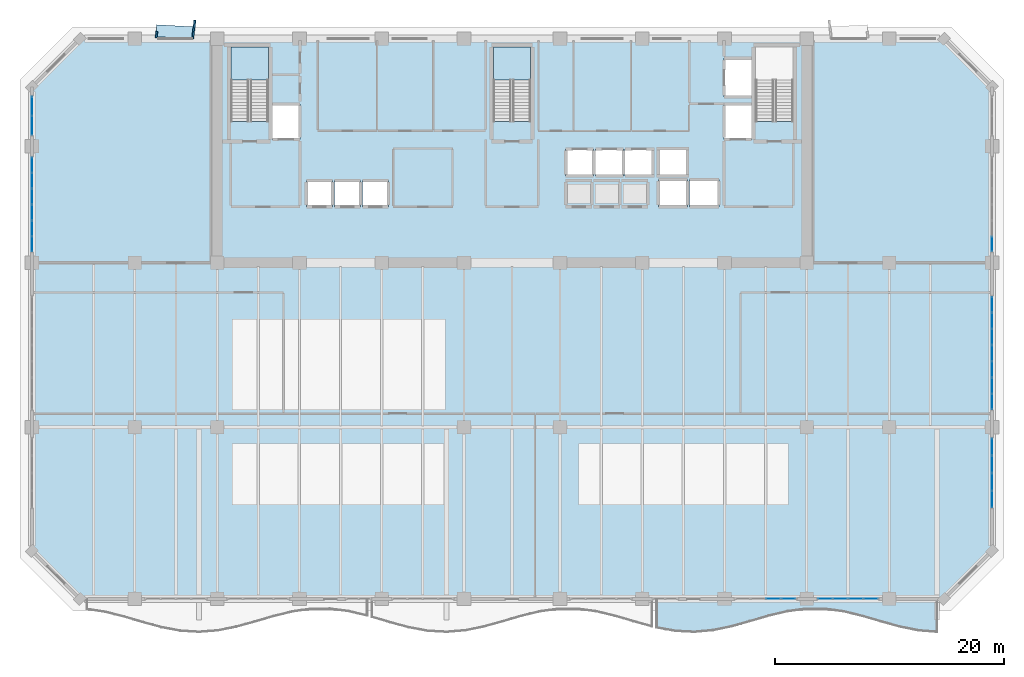
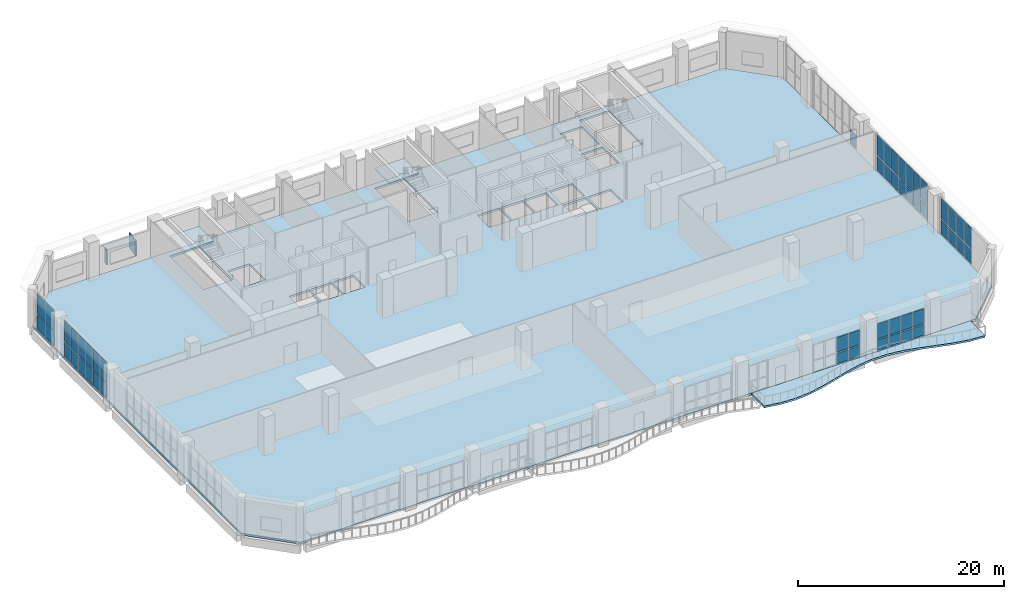
# One storey, part 26 of 37: 54 plates, 4 slabs, 9 elements without a shape of their own.
"""IFC4 building model written with IfcOpenShell, lengths in metres."""

from ifc_helpers import new_model, si_unit, direction, frame, origin, origin_2d, place, context, subcontext, project, spatial, polyline, rectangle, outline, extrude, material, layer, layer_set, type_object, element, aggregate, save


model = new_model("IFC4")

# Units and contexts
model_context = context("Model", 3, precision=1e-05, world=origin(), true_north=direction((0.0, 1.0)))
body_context = subcontext(model_context, "Body", "Model", "MODEL_VIEW")
ifc_project = project(units=[si_unit("LENGTHUNIT", "METRE"), si_unit("AREAUNIT", "SQUARE_METRE"), si_unit("VOLUMEUNIT", "CUBIC_METRE"), si_unit("PLANEANGLEUNIT", "RADIAN"), si_unit("MASSUNIT", "GRAM", prefix="KILO")], contexts=[model_context])

# Site, building, storey
site_placement = place(None, origin())
site = spatial("IfcSite", under=ifc_project, at=site_placement, CompositionType="ELEMENT")
building_placement = place(site_placement, origin())
building = spatial("IfcBuilding", under=site, at=building_placement, Name="Kaelvorn Grand Hotel", CompositionType="ELEMENT")
storey_placement = place(building_placement, frame((0.0, 0.0, 130.550048828125)))
storey = spatial("IfcBuildingStorey", under=building, at=storey_placement, Name="L31", CompositionType="ELEMENT", Elevation=130.550048828125)

# Curtain wall, plates
ifc_material_1 = material(Name="Anodised Aluminium", Category="aluminium")
ifc_layer_1 = layer(ifc_material_1, 0.199951171875)
ifc_layer_set_1 = layer_set([ifc_layer_1], Name="Anodised Aluminium")
curtain_wall_type = type_object("IfcCurtainWallType", Name="CW-SYS3", PredefinedType="NOTDEFINED", material=ifc_layer_set_1)
curtain_wall_1_placement = place(storey_placement, origin())
curtain_wall_1 = element("IfcCurtainWall", 1, at=curtain_wall_1_placement, inside=storey, type_object=curtain_wall_type, Name="L31 Unitised Curtain Wall CW3 (CW-L31-SB4-01)", PredefinedType="NOTDEFINED")
ifc_material_2 = material(Name="Laminated Low-E Glass", Category="glass")
ifc_layer_2 = layer(ifc_material_2, 0.030029296875)
ifc_layer_set_2 = layer_set([ifc_layer_2], Name="Laminated Low-E Glass")
plate_type_1 = type_object("IfcPlateType", Name="CW-SYS3-PAN", PredefinedType="CURTAIN_PANEL", material=ifc_layer_set_2)
plate_1_placement = place(storey_placement, frame((64.8701171875, 0.0, 0.135009765625), z_axis=(0.0, 0.0, 1.0), x_axis=(1.0, 0.0, 0.0)))
plate_1 = element("IfcPlate", 2, at=plate_1_placement, type_object=plate_type_1, Name="CW3 panel 3.1", PredefinedType="CURTAIN_PANEL", context=body_context, shape_type="SweptSolid", body=[
    extrude(rectangle(XDim=1.264892578125, YDim=0.030029296875, at=origin_2d()), origin(), (0.0, 0.0, 1.0), 1.2255859375),
])
plate_2_placement = place(storey_placement, frame((64.8701171875, 0.0, 1.495361328125), z_axis=(0.0, 0.0, 1.0), x_axis=(1.0, 0.0, 0.0)))
plate_2 = element("IfcPlate", 3, at=plate_2_placement, type_object=plate_type_1, Name="CW3 panel 3.2", PredefinedType="CURTAIN_PANEL", context=body_context, shape_type="SweptSolid", body=[
    extrude(rectangle(XDim=1.264892578125, YDim=0.030029296875, at=origin_2d()), origin(), (0.0, 0.0, 1.0), 1.76953125),
])
plate_3_placement = place(storey_placement, frame((66.191162109375, 0.0, 0.135009765625), z_axis=(0.0, 0.0, 1.0), x_axis=(1.0, 0.0, 0.0)))
plate_3 = element("IfcPlate", 4, at=plate_3_placement, type_object=plate_type_1, Name="CW3 panel 4.1", PredefinedType="CURTAIN_PANEL", context=body_context, shape_type="SweptSolid", body=[
    extrude(rectangle(XDim=1.2275390625, YDim=0.030029296875, at=origin_2d()), origin(), (0.0, 0.0, 1.0), 1.2255859375),
])
plate_4_placement = place(storey_placement, frame((66.191162109375, 0.0, 1.495361328125), z_axis=(0.0, 0.0, 1.0), x_axis=(1.0, 0.0, 0.0)))
plate_4 = element("IfcPlate", 5, at=plate_4_placement, type_object=plate_type_1, Name="CW3 panel 4.2", PredefinedType="CURTAIN_PANEL", context=body_context, shape_type="SweptSolid", body=[
    extrude(rectangle(XDim=1.2275390625, YDim=0.030029296875, at=origin_2d()), origin(), (0.0, 0.0, 1.0), 1.76953125),
])
aggregate(curtain_wall_1, [plate_1, plate_2, plate_3, plate_4])

curtain_wall_2_placement = place(storey_placement, origin())
curtain_wall_2 = element("IfcCurtainWall", 6, at=curtain_wall_2_placement, inside=storey, type_object=curtain_wall_type, Name="L31 Unitised Curtain Wall CW3 (CW-L31-SB4-02)", PredefinedType="NOTDEFINED")
plate_5_placement = place(storey_placement, frame((69.40869140625, 0.0, 0.135009765625), z_axis=(0.0, 0.0, 1.0), x_axis=(1.0, 0.0, 0.0)))
plate_5 = element("IfcPlate", 7, at=plate_5_placement, type_object=plate_type_1, Name="CW3 panel 1.1", PredefinedType="CURTAIN_PANEL", context=body_context, shape_type="SweptSolid", body=[
    extrude(rectangle(XDim=1.2275390625, YDim=0.030029296875, at=origin_2d()), origin(), (0.0, 0.0, 1.0), 1.2255859375),
])
plate_6_placement = place(storey_placement, frame((69.40869140625, 0.0, 1.495361328125), z_axis=(0.0, 0.0, 1.0), x_axis=(1.0, 0.0, 0.0)))
plate_6 = element("IfcPlate", 8, at=plate_6_placement, type_object=plate_type_1, Name="CW3 panel 1.2", PredefinedType="CURTAIN_PANEL", context=body_context, shape_type="SweptSolid", body=[
    extrude(rectangle(XDim=1.2275390625, YDim=0.030029296875, at=origin_2d()), origin(), (0.0, 0.0, 1.0), 1.76953125),
])
plate_7_placement = place(storey_placement, frame((70.72998046875, 0.0, 0.135009765625), z_axis=(0.0, 0.0, 1.0), x_axis=(1.0, 0.0, 0.0)))
plate_7 = element("IfcPlate", 9, at=plate_7_placement, type_object=plate_type_1, Name="CW3 panel 2.1", PredefinedType="CURTAIN_PANEL", context=body_context, shape_type="SweptSolid", body=[
    extrude(rectangle(XDim=1.264892578125, YDim=0.030029296875, at=origin_2d()), origin(), (0.0, 0.0, 1.0), 1.2255859375),
])
plate_8_placement = place(storey_placement, frame((70.72998046875, 0.0, 1.495361328125), z_axis=(0.0, 0.0, 1.0), x_axis=(1.0, 0.0, 0.0)))
plate_8 = element("IfcPlate", 10, at=plate_8_placement, type_object=plate_type_1, Name="CW3 panel 2.2", PredefinedType="CURTAIN_PANEL", context=body_context, shape_type="SweptSolid", body=[
    extrude(rectangle(XDim=1.264892578125, YDim=0.030029296875, at=origin_2d()), origin(), (0.0, 0.0, 1.0), 1.76953125),
])
plate_9_placement = place(storey_placement, frame((72.070068359375, 0.0, 0.135009765625), z_axis=(0.0, 0.0, 1.0), x_axis=(1.0, 0.0, 0.0)))
plate_9 = element("IfcPlate", 11, at=plate_9_placement, type_object=plate_type_1, Name="CW3 panel 3.1", PredefinedType="CURTAIN_PANEL", context=body_context, shape_type="SweptSolid", body=[
    extrude(rectangle(XDim=1.264892578125, YDim=0.030029296875, at=origin_2d()), origin(), (0.0, 0.0, 1.0), 1.2255859375),
])
plate_10_placement = place(storey_placement, frame((72.070068359375, 0.0, 1.495361328125), z_axis=(0.0, 0.0, 1.0), x_axis=(1.0, 0.0, 0.0)))
plate_10 = element("IfcPlate", 12, at=plate_10_placement, type_object=plate_type_1, Name="CW3 panel 3.2", PredefinedType="CURTAIN_PANEL", context=body_context, shape_type="SweptSolid", body=[
    extrude(rectangle(XDim=1.264892578125, YDim=0.030029296875, at=origin_2d()), origin(), (0.0, 0.0, 1.0), 1.76953125),
])
plate_11_placement = place(storey_placement, frame((73.391357421875, 0.0, 0.135009765625), z_axis=(0.0, 0.0, 1.0), x_axis=(1.0, 0.0, 0.0)))
plate_11 = element("IfcPlate", 13, at=plate_11_placement, type_object=plate_type_1, Name="CW3 panel 4.1", PredefinedType="CURTAIN_PANEL", context=body_context, shape_type="SweptSolid", body=[
    extrude(rectangle(XDim=1.2275390625, YDim=0.030029296875, at=origin_2d()), origin(), (0.0, 0.0, 1.0), 1.2255859375),
])
plate_12_placement = place(storey_placement, frame((73.391357421875, 0.0, 1.495361328125), z_axis=(0.0, 0.0, 1.0), x_axis=(1.0, 0.0, 0.0)))
plate_12 = element("IfcPlate", 14, at=plate_12_placement, type_object=plate_type_1, Name="CW3 panel 4.2", PredefinedType="CURTAIN_PANEL", context=body_context, shape_type="SweptSolid", body=[
    extrude(rectangle(XDim=1.2275390625, YDim=0.030029296875, at=origin_2d()), origin(), (0.0, 0.0, 1.0), 1.76953125),
])
aggregate(curtain_wall_2, [plate_5, plate_6, plate_7, plate_8, plate_9, plate_10, plate_11, plate_12])

curtain_wall_3_placement = place(storey_placement, origin())
curtain_wall_3 = element("IfcCurtainWall", 15, at=curtain_wall_3_placement, inside=storey, type_object=curtain_wall_type, Name="L31 Unitised Curtain Wall CW3 (CW-L31-E-01)", PredefinedType="NOTDEFINED")
plate_13_placement = place(storey_placement, frame((84.0, 8.708740234375, 0.135009765625), z_axis=(0.0, 0.0, 1.0), x_axis=(0.0, 1.0, 0.0)))
plate_13 = element("IfcPlate", 16, at=plate_13_placement, type_object=plate_type_1, Name="CW3 panel 1.1", PredefinedType="CURTAIN_PANEL", context=body_context, shape_type="SweptSolid", body=[
    extrude(rectangle(XDim=1.427490234375, YDim=0.030029296875, at=origin_2d()), origin(), (0.0, 0.0, 1.0), 1.69580078125),
])
plate_14_placement = place(storey_placement, frame((84.0, 8.708740234375, 1.9658203125), z_axis=(0.0, 0.0, 1.0), x_axis=(0.0, 1.0, 0.0)))
plate_14 = element("IfcPlate", 17, at=plate_14_placement, type_object=plate_type_1, Name="CW3 panel 1.2", PredefinedType="CURTAIN_PANEL", context=body_context, shape_type="SweptSolid", body=[
    extrude(rectangle(XDim=1.427490234375, YDim=0.030029296875, at=origin_2d()), origin(), (0.0, 0.0, 1.0), 2.419189453125),
])
plate_15_placement = place(storey_placement, frame((84.0, 10.22998046875, 0.135009765625), z_axis=(0.0, 0.0, 1.0), x_axis=(0.0, 1.0, 0.0)))
plate_15 = element("IfcPlate", 18, at=plate_15_placement, type_object=plate_type_1, Name="CW3 panel 2.1", PredefinedType="CURTAIN_PANEL", context=body_context, shape_type="SweptSolid", body=[
    extrude(rectangle(XDim=1.465087890625, YDim=0.030029296875, at=origin_2d()), origin(), (0.0, 0.0, 1.0), 1.69580078125),
])
plate_16_placement = place(storey_placement, frame((84.0, 10.22998046875, 1.9658203125), z_axis=(0.0, 0.0, 1.0), x_axis=(0.0, 1.0, 0.0)))
plate_16 = element("IfcPlate", 19, at=plate_16_placement, type_object=plate_type_1, Name="CW3 panel 2.2", PredefinedType="CURTAIN_PANEL", context=body_context, shape_type="SweptSolid", body=[
    extrude(rectangle(XDim=1.465087890625, YDim=0.030029296875, at=origin_2d()), origin(), (0.0, 0.0, 1.0), 2.419189453125),
])
plate_17_placement = place(storey_placement, frame((84.0, 11.77001953125, 0.135009765625), z_axis=(0.0, 0.0, 1.0), x_axis=(0.0, 1.0, 0.0)))
plate_17 = element("IfcPlate", 20, at=plate_17_placement, type_object=plate_type_1, Name="CW3 panel 3.1", PredefinedType="CURTAIN_PANEL", context=body_context, shape_type="SweptSolid", body=[
    extrude(rectangle(XDim=1.465087890625, YDim=0.030029296875, at=origin_2d()), origin(), (0.0, 0.0, 1.0), 1.69580078125),
])
plate_18_placement = place(storey_placement, frame((84.0, 11.77001953125, 1.9658203125), z_axis=(0.0, 0.0, 1.0), x_axis=(0.0, 1.0, 0.0)))
plate_18 = element("IfcPlate", 21, at=plate_18_placement, type_object=plate_type_1, Name="CW3 panel 3.2", PredefinedType="CURTAIN_PANEL", context=body_context, shape_type="SweptSolid", body=[
    extrude(rectangle(XDim=1.465087890625, YDim=0.030029296875, at=origin_2d()), origin(), (0.0, 0.0, 1.0), 2.419189453125),
])
plate_19_placement = place(storey_placement, frame((84.0, 13.291259765625, 0.135009765625), z_axis=(0.0, 0.0, 1.0), x_axis=(0.0, 1.0, 0.0)))
plate_19 = element("IfcPlate", 22, at=plate_19_placement, type_object=plate_type_1, Name="CW3 panel 4.1", PredefinedType="CURTAIN_PANEL", context=body_context, shape_type="SweptSolid", body=[
    extrude(rectangle(XDim=1.427490234375, YDim=0.030029296875, at=origin_2d()), origin(), (0.0, 0.0, 1.0), 1.69580078125),
])
plate_20_placement = place(storey_placement, frame((84.0, 13.291259765625, 1.9658203125), z_axis=(0.0, 0.0, 1.0), x_axis=(0.0, 1.0, 0.0)))
plate_20 = element("IfcPlate", 23, at=plate_20_placement, type_object=plate_type_1, Name="CW3 panel 4.2", PredefinedType="CURTAIN_PANEL", context=body_context, shape_type="SweptSolid", body=[
    extrude(rectangle(XDim=1.427490234375, YDim=0.030029296875, at=origin_2d()), origin(), (0.0, 0.0, 1.0), 2.419189453125),
])
aggregate(curtain_wall_3, [plate_13, plate_14, plate_15, plate_16, plate_17, plate_18, plate_19, plate_20])

curtain_wall_4_placement = place(storey_placement, origin())
curtain_wall_4 = element("IfcCurtainWall", 24, at=curtain_wall_4_placement, inside=storey, type_object=curtain_wall_type, Name="L31 Unitised Curtain Wall CW3 (CW-L31-E-02)", PredefinedType="NOTDEFINED")
plate_21_placement = place(storey_placement, frame((84.0, 17.250244140625, 0.135009765625), z_axis=(0.0, 0.0, 1.0), x_axis=(0.0, 1.0, 0.0)))
plate_21 = element("IfcPlate", 25, at=plate_21_placement, type_object=plate_type_1, Name="CW3 panel 1.1", PredefinedType="CURTAIN_PANEL", context=body_context, shape_type="SweptSolid", body=[
    extrude(rectangle(XDim=1.310302734375, YDim=0.030029296875, at=origin_2d()), origin(), (0.0, 0.0, 1.0), 1.69580078125),
])
plate_22_placement = place(storey_placement, frame((84.0, 17.250244140625, 1.9658203125), z_axis=(0.0, 0.0, 1.0), x_axis=(0.0, 1.0, 0.0)))
plate_22 = element("IfcPlate", 26, at=plate_22_placement, type_object=plate_type_1, Name="CW3 panel 1.2", PredefinedType="CURTAIN_PANEL", context=body_context, shape_type="SweptSolid", body=[
    extrude(rectangle(XDim=1.310302734375, YDim=0.030029296875, at=origin_2d()), origin(), (0.0, 0.0, 1.0), 2.419189453125),
])
plate_23_placement = place(storey_placement, frame((84.0, 18.654296875, 0.135009765625), z_axis=(0.0, 0.0, 1.0), x_axis=(0.0, 1.0, 0.0)))
plate_23 = element("IfcPlate", 27, at=plate_23_placement, type_object=plate_type_1, Name="CW3 panel 2.1", PredefinedType="CURTAIN_PANEL", context=body_context, shape_type="SweptSolid", body=[
    extrude(rectangle(XDim=1.347900390625, YDim=0.030029296875, at=origin_2d()), origin(), (0.0, 0.0, 1.0), 1.69580078125),
])
plate_24_placement = place(storey_placement, frame((84.0, 18.654296875, 1.9658203125), z_axis=(0.0, 0.0, 1.0), x_axis=(0.0, 1.0, 0.0)))
plate_24 = element("IfcPlate", 28, at=plate_24_placement, type_object=plate_type_1, Name="CW3 panel 2.2", PredefinedType="CURTAIN_PANEL", context=body_context, shape_type="SweptSolid", body=[
    extrude(rectangle(XDim=1.347900390625, YDim=0.030029296875, at=origin_2d()), origin(), (0.0, 0.0, 1.0), 2.419189453125),
])
plate_25_placement = place(storey_placement, frame((84.0, 20.0771484375, 0.135009765625), z_axis=(0.0, 0.0, 1.0), x_axis=(0.0, 1.0, 0.0)))
plate_25 = element("IfcPlate", 29, at=plate_25_placement, type_object=plate_type_1, Name="CW3 panel 3.1", PredefinedType="CURTAIN_PANEL", context=body_context, shape_type="SweptSolid", body=[
    extrude(rectangle(XDim=1.347900390625, YDim=0.030029296875, at=origin_2d()), origin(), (0.0, 0.0, 1.0), 1.69580078125),
])
plate_26_placement = place(storey_placement, frame((84.0, 20.0771484375, 1.9658203125), z_axis=(0.0, 0.0, 1.0), x_axis=(0.0, 1.0, 0.0)))
plate_26 = element("IfcPlate", 30, at=plate_26_placement, type_object=plate_type_1, Name="CW3 panel 3.2", PredefinedType="CURTAIN_PANEL", context=body_context, shape_type="SweptSolid", body=[
    extrude(rectangle(XDim=1.347900390625, YDim=0.030029296875, at=origin_2d()), origin(), (0.0, 0.0, 1.0), 2.419189453125),
])
plate_27_placement = place(storey_placement, frame((84.0, 21.5, 0.135009765625), z_axis=(0.0, 0.0, 1.0), x_axis=(0.0, 1.0, 0.0)))
plate_27 = element("IfcPlate", 31, at=plate_27_placement, type_object=plate_type_1, Name="CW3 panel 4.1", PredefinedType="CURTAIN_PANEL", context=body_context, shape_type="SweptSolid", body=[
    extrude(rectangle(XDim=1.347900390625, YDim=0.030029296875, at=origin_2d()), origin(), (0.0, 0.0, 1.0), 1.69580078125),
])
plate_28_placement = place(storey_placement, frame((84.0, 21.5, 1.9658203125), z_axis=(0.0, 0.0, 1.0), x_axis=(0.0, 1.0, 0.0)))
plate_28 = element("IfcPlate", 32, at=plate_28_placement, type_object=plate_type_1, Name="CW3 panel 4.2", PredefinedType="CURTAIN_PANEL", context=body_context, shape_type="SweptSolid", body=[
    extrude(rectangle(XDim=1.347900390625, YDim=0.030029296875, at=origin_2d()), origin(), (0.0, 0.0, 1.0), 2.419189453125),
])
plate_29_placement = place(storey_placement, frame((84.0, 22.9228515625, 0.135009765625), z_axis=(0.0, 0.0, 1.0), x_axis=(0.0, 1.0, 0.0)))
plate_29 = element("IfcPlate", 33, at=plate_29_placement, type_object=plate_type_1, Name="CW3 panel 5.1", PredefinedType="CURTAIN_PANEL", context=body_context, shape_type="SweptSolid", body=[
    extrude(rectangle(XDim=1.347900390625, YDim=0.030029296875, at=origin_2d()), origin(), (0.0, 0.0, 1.0), 1.69580078125),
])
plate_30_placement = place(storey_placement, frame((84.0, 22.9228515625, 1.9658203125), z_axis=(0.0, 0.0, 1.0), x_axis=(0.0, 1.0, 0.0)))
plate_30 = element("IfcPlate", 34, at=plate_30_placement, type_object=plate_type_1, Name="CW3 panel 5.2", PredefinedType="CURTAIN_PANEL", context=body_context, shape_type="SweptSolid", body=[
    extrude(rectangle(XDim=1.347900390625, YDim=0.030029296875, at=origin_2d()), origin(), (0.0, 0.0, 1.0), 2.419189453125),
])
plate_31_placement = place(storey_placement, frame((84.0, 24.345703125, 0.135009765625), z_axis=(0.0, 0.0, 1.0), x_axis=(0.0, 1.0, 0.0)))
plate_31 = element("IfcPlate", 35, at=plate_31_placement, type_object=plate_type_1, Name="CW3 panel 6.1", PredefinedType="CURTAIN_PANEL", context=body_context, shape_type="SweptSolid", body=[
    extrude(rectangle(XDim=1.347900390625, YDim=0.030029296875, at=origin_2d()), origin(), (0.0, 0.0, 1.0), 1.69580078125),
])
plate_32_placement = place(storey_placement, frame((84.0, 24.345703125, 1.9658203125), z_axis=(0.0, 0.0, 1.0), x_axis=(0.0, 1.0, 0.0)))
plate_32 = element("IfcPlate", 36, at=plate_32_placement, type_object=plate_type_1, Name="CW3 panel 6.2", PredefinedType="CURTAIN_PANEL", context=body_context, shape_type="SweptSolid", body=[
    extrude(rectangle(XDim=1.347900390625, YDim=0.030029296875, at=origin_2d()), origin(), (0.0, 0.0, 1.0), 2.419189453125),
])
plate_33_placement = place(storey_placement, frame((84.0, 25.749755859375, 0.135009765625), z_axis=(0.0, 0.0, 1.0), x_axis=(0.0, 1.0, 0.0)))
plate_33 = element("IfcPlate", 37, at=plate_33_placement, type_object=plate_type_1, Name="CW3 panel 7.1", PredefinedType="CURTAIN_PANEL", context=body_context, shape_type="SweptSolid", body=[
    extrude(rectangle(XDim=1.310302734375, YDim=0.030029296875, at=origin_2d()), origin(), (0.0, 0.0, 1.0), 1.69580078125),
])
plate_34_placement = place(storey_placement, frame((84.0, 25.749755859375, 1.9658203125), z_axis=(0.0, 0.0, 1.0), x_axis=(0.0, 1.0, 0.0)))
plate_34 = element("IfcPlate", 38, at=plate_34_placement, type_object=plate_type_1, Name="CW3 panel 7.2", PredefinedType="CURTAIN_PANEL", context=body_context, shape_type="SweptSolid", body=[
    extrude(rectangle(XDim=1.310302734375, YDim=0.030029296875, at=origin_2d()), origin(), (0.0, 0.0, 1.0), 2.419189453125),
])
aggregate(curtain_wall_4, [plate_21, plate_22, plate_23, plate_24, plate_25, plate_26, plate_27, plate_28, plate_29, plate_30, plate_31, plate_32, plate_33, plate_34])

# Curtain wall, plate
curtain_wall_5_placement = place(storey_placement, origin())
curtain_wall_5 = element("IfcCurtainWall", 39, at=curtain_wall_5_placement, inside=storey, type_object=curtain_wall_type, Name="L31 Unitised Curtain Wall CW3 (CW-L31-E-03)", PredefinedType="NOTDEFINED")
plate_35_placement = place(storey_placement, frame((84.0, 31.035400390625, 0.135009765625), z_axis=(0.0, 0.0, 1.0), x_axis=(0.0, 1.0, 0.0)))
plate_35 = element("IfcPlate", 40, at=plate_35_placement, type_object=plate_type_1, Name="CW3 panel 1.1", PredefinedType="CURTAIN_PANEL", context=body_context, shape_type="SweptSolid", body=[
    extrude(rectangle(XDim=1.28076171875, YDim=0.030029296875, at=origin_2d()), origin(), (0.0, 0.0, 1.0), 1.69580078125),
])
aggregate(curtain_wall_5, [plate_35])

# Curtain wall, plates
curtain_wall_6_placement = place(storey_placement, origin())
curtain_wall_6 = element("IfcCurtainWall", 41, at=curtain_wall_6_placement, inside=storey, type_object=curtain_wall_type, Name="L31 Unitised Curtain Wall CW3 (CW-L31-W-04)", PredefinedType="NOTDEFINED")
plate_36_placement = place(storey_placement, frame((0.0, 43.111328125, 0.135009765625), z_axis=(0.0, 0.0, 1.0), x_axis=(0.0, -1.0, 0.0)))
plate_36 = element("IfcPlate", 42, at=plate_36_placement, type_object=plate_type_1, Name="CW3 panel 1.1", PredefinedType="CURTAIN_PANEL", context=body_context, shape_type="SweptSolid", body=[
    extrude(rectangle(XDim=1.62744140625, YDim=0.030029296875, at=origin_2d()), origin(), (0.0, 0.0, 1.0), 1.69580078125),
])
plate_37_placement = place(storey_placement, frame((0.0, 43.111328125, 1.9658203125), z_axis=(0.0, 0.0, 1.0), x_axis=(0.0, -1.0, 0.0)))
plate_37 = element("IfcPlate", 43, at=plate_37_placement, type_object=plate_type_1, Name="CW3 panel 1.2", PredefinedType="CURTAIN_PANEL", context=body_context, shape_type="SweptSolid", body=[
    extrude(rectangle(XDim=1.62744140625, YDim=0.030029296875, at=origin_2d()), origin(), (0.0, 0.0, 1.0), 2.419189453125),
])
plate_38_placement = place(storey_placement, frame((0.0, 41.40869140625, 0.135009765625), z_axis=(0.0, 0.0, 1.0), x_axis=(0.0, -1.0, 0.0)))
plate_38 = element("IfcPlate", 44, at=plate_38_placement, type_object=plate_type_1, Name="CW3 panel 2.1", PredefinedType="CURTAIN_PANEL", context=body_context, shape_type="SweptSolid", body=[
    extrude(rectangle(XDim=1.62744140625, YDim=0.030029296875, at=origin_2d()), origin(), (0.0, 0.0, 1.0), 1.69580078125),
])
plate_39_placement = place(storey_placement, frame((0.0, 41.40869140625, 1.9658203125), z_axis=(0.0, 0.0, 1.0), x_axis=(0.0, -1.0, 0.0)))
plate_39 = element("IfcPlate", 45, at=plate_39_placement, type_object=plate_type_1, Name="CW3 panel 2.2", PredefinedType="CURTAIN_PANEL", context=body_context, shape_type="SweptSolid", body=[
    extrude(rectangle(XDim=1.62744140625, YDim=0.030029296875, at=origin_2d()), origin(), (0.0, 0.0, 1.0), 2.419189453125),
])
aggregate(curtain_wall_6, [plate_36, plate_37, plate_38, plate_39])

curtain_wall_7_placement = place(storey_placement, origin())
curtain_wall_7 = element("IfcCurtainWall", 46, at=curtain_wall_7_placement, inside=storey, type_object=curtain_wall_type, Name="L31 Unitised Curtain Wall CW3 (CW-L31-W-03)", PredefinedType="NOTDEFINED")
plate_40_placement = place(storey_placement, frame((0.0, 37.964599609375, 0.135009765625), z_axis=(0.0, 0.0, 1.0), x_axis=(0.0, -1.0, 0.0)))
plate_40 = element("IfcPlate", 47, at=plate_40_placement, type_object=plate_type_1, Name="CW3 panel 1.1", PredefinedType="CURTAIN_PANEL", context=body_context, shape_type="SweptSolid", body=[
    extrude(rectangle(XDim=1.28076171875, YDim=0.030029296875, at=origin_2d()), origin(), (0.0, 0.0, 1.0), 1.69580078125),
])
plate_41_placement = place(storey_placement, frame((0.0, 37.964599609375, 1.9658203125), z_axis=(0.0, 0.0, 1.0), x_axis=(0.0, -1.0, 0.0)))
plate_41 = element("IfcPlate", 48, at=plate_41_placement, type_object=plate_type_1, Name="CW3 panel 1.2", PredefinedType="CURTAIN_PANEL", context=body_context, shape_type="SweptSolid", body=[
    extrude(rectangle(XDim=1.28076171875, YDim=0.030029296875, at=origin_2d()), origin(), (0.0, 0.0, 1.0), 2.419189453125),
])
plate_42_placement = place(storey_placement, frame((0.0, 36.590087890625, 0.135009765625), z_axis=(0.0, 0.0, 1.0), x_axis=(0.0, -1.0, 0.0)))
plate_42 = element("IfcPlate", 49, at=plate_42_placement, type_object=plate_type_1, Name="CW3 panel 2.1", PredefinedType="CURTAIN_PANEL", context=body_context, shape_type="SweptSolid", body=[
    extrude(rectangle(XDim=1.318359375, YDim=0.030029296875, at=origin_2d()), origin(), (0.0, 0.0, 1.0), 1.69580078125),
])
plate_43_placement = place(storey_placement, frame((0.0, 36.590087890625, 1.9658203125), z_axis=(0.0, 0.0, 1.0), x_axis=(0.0, -1.0, 0.0)))
plate_43 = element("IfcPlate", 50, at=plate_43_placement, type_object=plate_type_1, Name="CW3 panel 2.2", PredefinedType="CURTAIN_PANEL", context=body_context, shape_type="SweptSolid", body=[
    extrude(rectangle(XDim=1.318359375, YDim=0.030029296875, at=origin_2d()), origin(), (0.0, 0.0, 1.0), 2.419189453125),
])
plate_44_placement = place(storey_placement, frame((0.0, 35.19677734375, 0.135009765625), z_axis=(0.0, 0.0, 1.0), x_axis=(0.0, -1.0, 0.0)))
plate_44 = element("IfcPlate", 51, at=plate_44_placement, type_object=plate_type_1, Name="CW3 panel 3.1", PredefinedType="CURTAIN_PANEL", context=body_context, shape_type="SweptSolid", body=[
    extrude(rectangle(XDim=1.318359375, YDim=0.030029296875, at=origin_2d()), origin(), (0.0, 0.0, 1.0), 1.69580078125),
])
plate_45_placement = place(storey_placement, frame((0.0, 35.19677734375, 1.9658203125), z_axis=(0.0, 0.0, 1.0), x_axis=(0.0, -1.0, 0.0)))
plate_45 = element("IfcPlate", 52, at=plate_45_placement, type_object=plate_type_1, Name="CW3 panel 3.2", PredefinedType="CURTAIN_PANEL", context=body_context, shape_type="SweptSolid", body=[
    extrude(rectangle(XDim=1.318359375, YDim=0.030029296875, at=origin_2d()), origin(), (0.0, 0.0, 1.0), 2.419189453125),
])
plate_46_placement = place(storey_placement, frame((0.0, 33.80322265625, 0.135009765625), z_axis=(0.0, 0.0, 1.0), x_axis=(0.0, -1.0, 0.0)))
plate_46 = element("IfcPlate", 53, at=plate_46_placement, type_object=plate_type_1, Name="CW3 panel 4.1", PredefinedType="CURTAIN_PANEL", context=body_context, shape_type="SweptSolid", body=[
    extrude(rectangle(XDim=1.318359375, YDim=0.030029296875, at=origin_2d()), origin(), (0.0, 0.0, 1.0), 1.69580078125),
])
plate_47_placement = place(storey_placement, frame((0.0, 33.80322265625, 1.9658203125), z_axis=(0.0, 0.0, 1.0), x_axis=(0.0, -1.0, 0.0)))
plate_47 = element("IfcPlate", 54, at=plate_47_placement, type_object=plate_type_1, Name="CW3 panel 4.2", PredefinedType="CURTAIN_PANEL", context=body_context, shape_type="SweptSolid", body=[
    extrude(rectangle(XDim=1.318359375, YDim=0.030029296875, at=origin_2d()), origin(), (0.0, 0.0, 1.0), 2.419189453125),
])
plate_48_placement = place(storey_placement, frame((0.0, 32.409912109375, 0.135009765625), z_axis=(0.0, 0.0, 1.0), x_axis=(0.0, -1.0, 0.0)))
plate_48 = element("IfcPlate", 55, at=plate_48_placement, type_object=plate_type_1, Name="CW3 panel 5.1", PredefinedType="CURTAIN_PANEL", context=body_context, shape_type="SweptSolid", body=[
    extrude(rectangle(XDim=1.318359375, YDim=0.030029296875, at=origin_2d()), origin(), (0.0, 0.0, 1.0), 1.69580078125),
])
plate_49_placement = place(storey_placement, frame((0.0, 32.409912109375, 1.9658203125), z_axis=(0.0, 0.0, 1.0), x_axis=(0.0, -1.0, 0.0)))
plate_49 = element("IfcPlate", 56, at=plate_49_placement, type_object=plate_type_1, Name="CW3 panel 5.2", PredefinedType="CURTAIN_PANEL", context=body_context, shape_type="SweptSolid", body=[
    extrude(rectangle(XDim=1.318359375, YDim=0.030029296875, at=origin_2d()), origin(), (0.0, 0.0, 1.0), 2.419189453125),
])
plate_50_placement = place(storey_placement, frame((0.0, 31.035400390625, 0.135009765625), z_axis=(0.0, 0.0, 1.0), x_axis=(0.0, -1.0, 0.0)))
plate_50 = element("IfcPlate", 57, at=plate_50_placement, type_object=plate_type_1, Name="CW3 panel 6.1", PredefinedType="CURTAIN_PANEL", context=body_context, shape_type="SweptSolid", body=[
    extrude(rectangle(XDim=1.28076171875, YDim=0.030029296875, at=origin_2d()), origin(), (0.0, 0.0, 1.0), 1.69580078125),
])
plate_51_placement = place(storey_placement, frame((0.0, 31.035400390625, 1.9658203125), z_axis=(0.0, 0.0, 1.0), x_axis=(0.0, -1.0, 0.0)))
plate_51 = element("IfcPlate", 58, at=plate_51_placement, type_object=plate_type_1, Name="CW3 panel 6.2", PredefinedType="CURTAIN_PANEL", context=body_context, shape_type="SweptSolid", body=[
    extrude(rectangle(XDim=1.28076171875, YDim=0.030029296875, at=origin_2d()), origin(), (0.0, 0.0, 1.0), 2.419189453125),
])
aggregate(curtain_wall_7, [plate_40, plate_41, plate_42, plate_43, plate_44, plate_45, plate_46, plate_47, plate_48, plate_49, plate_50, plate_51])

# Plates
ifc_material_3 = material(Name="Precast concrete C45/55", Category="concrete")
ifc_layer_3 = layer(ifc_material_3, 0.159912109375)
ifc_layer_set_3 = layer_set([ifc_layer_3], Name="Precast concrete C45/55")
plate_type_2 = type_object("IfcPlateType", Name="PL-FRAME-DEEP-1550", PredefinedType="USERDEFINED", material=ifc_layer_set_3)
plate_52_placement = place(storey_placement, frame((14.1650390625, 49.864990234375, 0.73974609375), z_axis=(0.0, 0.0, 1.0), x_axis=(0.992546151641, -0.121869343405, 0.0)))
element("IfcPlate", 59, at=plate_52_placement, inside=storey, type_object=plate_type_2, Name="L31 Tilted Precast Window Frame Fin R-N02", ObjectType="FLANGE_PLATE", PredefinedType="USERDEFINED", context=body_context, shape_type="SweptSolid", body=[
    extrude(rectangle(XDim=0.159912109375, YDim=1.550048828125, at=origin_2d()), origin(), (0.0, 0.0, 1.0), 1.719970703125),
])
ifc_layer_4 = layer(ifc_material_3, 0.159912109375)
ifc_layer_set_4 = layer_set([ifc_layer_4], Name="Precast concrete C45/55")
plate_type_3 = type_object("IfcPlateType", Name="PL-FRAME-HEAD-1050", PredefinedType="USERDEFINED", material=ifc_layer_set_4)
plate_53_placement = place(storey_placement, frame((12.52490234375, 49.614990234375, 2.35009765625), z_axis=(0.0, 0.0, 1.0), x_axis=(0.998489097451, -0.054950179912, 0.0)))
element("IfcPlate", 60, at=plate_53_placement, inside=storey, type_object=plate_type_3, Name="L31 Precast Window Frame Head Hood H-N02", ObjectType="FLANGE_PLATE", PredefinedType="USERDEFINED", context=body_context, shape_type="SweptSolid", body=[
    extrude(rectangle(XDim=3.320068359375, YDim=1.050048828125, at=origin_2d()), origin(), (0.0, 0.0, 1.0), 0.159912109375),
])
ifc_layer_5 = layer(ifc_material_3, 0.159912109375)
ifc_layer_set_5 = layer_set([ifc_layer_5], Name="Precast concrete C45/55")
plate_type_4 = type_object("IfcPlateType", Name="PL-FRAME-SHAL-550", PredefinedType="USERDEFINED", material=ifc_layer_set_5)
plate_54_placement = place(storey_placement, frame((10.885009765625, 49.364990234375, 0.73974609375), z_axis=(0.0, 0.0, 1.0), x_axis=(0.992546151641, -0.121869343405, 0.0)))
element("IfcPlate", 61, at=plate_54_placement, inside=storey, type_object=plate_type_4, Name="L31 Tilted Precast Window Frame Fin L-N02", ObjectType="FLANGE_PLATE", PredefinedType="USERDEFINED", context=body_context, shape_type="SweptSolid", body=[
    extrude(rectangle(XDim=0.159912109375, YDim=0.550048828125, at=origin_2d()), origin(), (0.0, 0.0, 1.0), 1.719970703125),
])

# Slabs
ifc_material_4 = material(Name="Concrete C40/50", Category="concrete")
ifc_layer_6 = layer(ifc_material_4, 0.219970703125)
ifc_layer_set_6 = layer_set([ifc_layer_6], Name="Concrete C40/50")
slab_type_1 = type_object("IfcSlabType", Name="SLB-BALC-220-C40", PredefinedType="FLOOR", material=ifc_layer_set_6)
slab_1_placement = place(storey_placement, frame((0.0, 0.0, -0.219970703125)))
element("IfcSlab", 62, at=slab_1_placement, inside=storey, type_object=slab_type_1, Name="L31 Scalloped Wave Balcony Slab 3", PredefinedType="FLOOR", context=body_context, shape_type="SweptSolid", body=[
    extrude(outline(polyline([(54.666748046875, -2.521484375), (56.30224609375, -2.81396484375), (57.937744140625, -2.89794921875), (59.5732421875, -2.754638671875), (61.208984375, -2.416015625), (62.844482421875, -1.95703125), (64.47998046875, -1.47998046875), (66.115478515625, -1.090576171875), (67.751220703125, -0.87548828125), (69.38671875, -0.88232421875), (71.022216796875, -1.109619140625), (72.65771484375, -1.507080078125), (74.293212890625, -1.986083984375), (75.928955078125, -2.4404296875), (77.564453125, -2.769287109375), (79.199951171875, -2.8994140625), (79.199951171875, 0.0), (54.666748046875, 0.0), (54.666748046875, -2.521484375)])), origin(), (0.0, 0.0, 1.0), 0.219970703125),
])
ifc_layer_7 = layer(ifc_material_4, 0.239990234375)
ifc_layer_set_7 = layer_set([ifc_layer_7], Name="Concrete C40/50")
slab_type_2 = type_object("IfcSlabType", Name="SLB-FLR-240-C40", PredefinedType="FLOOR", material=ifc_layer_set_7)
slab_2_placement = place(storey_placement, frame((0.0, 0.0, -0.239990234375)))
element("IfcSlab", 63, at=slab_2_placement, inside=storey, type_object=slab_type_2, Name="L31 Indoor Suspended Floor Slab", PredefinedType="FLOOR", context=body_context, shape_type="SweptSolid", body=[
    extrude(outline(polyline([(4.199951171875, 0.0), (79.800048828125, 0.0), (84.0, 4.199951171875), (84.0, 44.800048828125), (79.800048828125, 49.0), (4.199951171875, 49.0), (0.0, 44.800048828125), (0.0, 4.199951171875), (4.199951171875, 0.0)]), holes=[polyline([(17.39990234375, 41.760009765625), (17.39990234375, 48.300048828125), (20.679931640625, 48.300048828125), (20.679931640625, 41.760009765625), (17.39990234375, 41.760009765625)]), polyline([(40.360107421875, 41.760009765625), (40.360107421875, 48.300048828125), (43.639892578125, 48.300048828125), (43.639892578125, 41.760009765625), (40.360107421875, 41.760009765625)]), polyline([(63.320068359375, 41.760009765625), (63.320068359375, 48.300048828125), (66.60009765625, 48.300048828125), (66.60009765625, 41.760009765625), (63.320068359375, 41.760009765625)]), polyline([(24.0, 34.300048828125), (24.0, 36.60009765625), (26.300048828125, 36.60009765625), (26.300048828125, 34.300048828125), (24.0, 34.300048828125)]), polyline([(26.449951171875, 34.300048828125), (26.449951171875, 36.60009765625), (28.75, 36.60009765625), (28.75, 34.300048828125), (26.449951171875, 34.300048828125)]), polyline([(28.89990234375, 34.300048828125), (28.89990234375, 36.60009765625), (31.199951171875, 36.60009765625), (31.199951171875, 34.300048828125), (28.89990234375, 34.300048828125)]), polyline([(46.699951171875, 37.0), (46.699951171875, 39.35009765625), (49.14990234375, 39.35009765625), (49.14990234375, 37.0), (46.699951171875, 37.0)]), polyline([(49.300048828125, 37.0), (49.300048828125, 39.35009765625), (51.75, 39.35009765625), (51.75, 37.0), (49.300048828125, 37.0)]), polyline([(51.89990234375, 37.0), (51.89990234375, 39.35009765625), (54.35009765625, 39.35009765625), (54.35009765625, 37.0), (51.89990234375, 37.0)]), polyline([(54.800048828125, 34.300048828125), (54.800048828125, 36.699951171875), (57.35009765625, 36.699951171875), (57.35009765625, 34.300048828125), (54.800048828125, 34.300048828125)]), polyline([(57.550048828125, 34.300048828125), (57.550048828125, 36.699951171875), (60.10009765625, 36.699951171875), (60.10009765625, 34.300048828125), (57.550048828125, 34.300048828125)]), polyline([(54.800048828125, 37.0), (54.800048828125, 39.39990234375), (57.35009765625, 39.39990234375), (57.35009765625, 37.0), (54.800048828125, 37.0)]), polyline([(21.0, 40.199951171875), (21.0, 43.300048828125), (23.449951171875, 43.300048828125), (23.449951171875, 40.199951171875), (21.0, 40.199951171875)]), polyline([(60.550048828125, 40.199951171875), (60.550048828125, 43.300048828125), (63.0, 43.300048828125), (63.0, 40.199951171875), (60.550048828125, 40.199951171875)]), polyline([(60.550048828125, 43.89990234375), (60.550048828125, 47.300048828125), (63.0, 47.300048828125), (63.0, 43.89990234375), (60.550048828125, 43.89990234375)])]), origin(), (0.0, 0.0, 1.0), 0.239990234375),
])

# Stair, slab
stair_type = type_object("IfcStairType", Name="STR-DOG-1560-R07", PredefinedType="HALF_TURN_STAIR", material=ifc_material_4)
stair_1_placement = place(storey_placement, origin())
stair_1 = element("IfcStair", 64, at=stair_1_placement, inside=storey, type_object=stair_type, Name="L31 West Core Exit Stair ST1", PredefinedType="HALF_TURN_STAIR")
ifc_layer_8 = layer(ifc_material_4, 0.199951171875)
ifc_layer_set_8 = layer_set([ifc_layer_8], Name="Concrete C40/50")
slab_type_3 = type_object("IfcSlabType", Name="SLB-LAND-200-C40", PredefinedType="LANDING", material=ifc_layer_set_8)
slab_3_placement = place(storey_placement, frame((0.0, 0.0, 2.199951171875)))
slab_3 = element("IfcSlab", 65, at=slab_3_placement, type_object=slab_type_3, Name="ST1 landing 1", PredefinedType="LANDING", context=body_context, shape_type="SweptSolid", body=[
    extrude(outline(polyline([(20.679931640625, 45.39990234375), (20.679931640625, 48.300048828125), (17.39990234375, 48.300048828125), (17.39990234375, 45.39990234375), (20.679931640625, 45.39990234375)])), origin(), (0.0, 0.0, 1.0), 0.199951171875),
])
aggregate(stair_1, [slab_3])

stair_2_placement = place(storey_placement, origin())
stair_2 = element("IfcStair", 66, at=stair_2_placement, inside=storey, type_object=stair_type, Name="L31 Central Core Exit Stair ST2", PredefinedType="HALF_TURN_STAIR")
slab_4_placement = place(storey_placement, frame((0.0, 0.0, 2.199951171875)))
slab_4 = element("IfcSlab", 67, at=slab_4_placement, type_object=slab_type_3, Name="ST2 landing 1", PredefinedType="LANDING", context=body_context, shape_type="SweptSolid", body=[
    extrude(outline(polyline([(43.639892578125, 45.39990234375), (43.639892578125, 48.300048828125), (40.360107421875, 48.300048828125), (40.360107421875, 45.39990234375), (43.639892578125, 45.39990234375)])), origin(), (0.0, 0.0, 1.0), 0.199951171875),
])
aggregate(stair_2, [slab_4])

save(model, "model.ifc")
